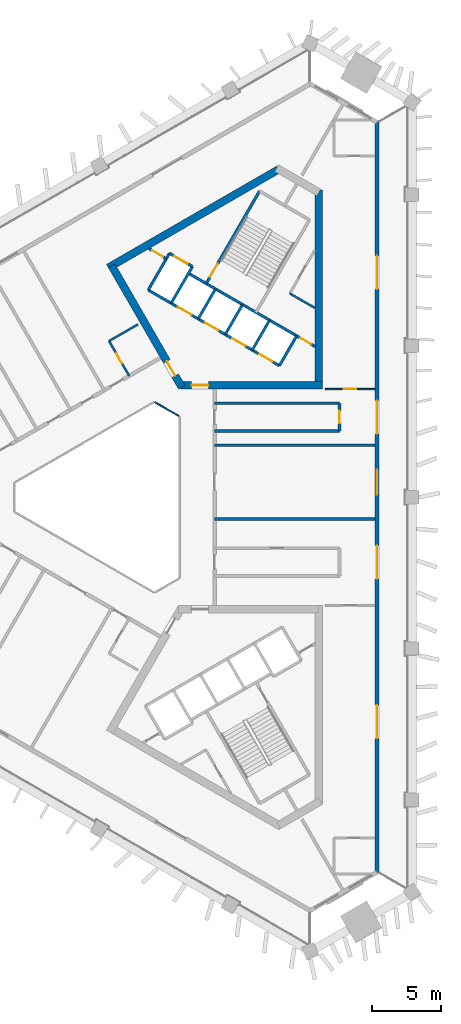
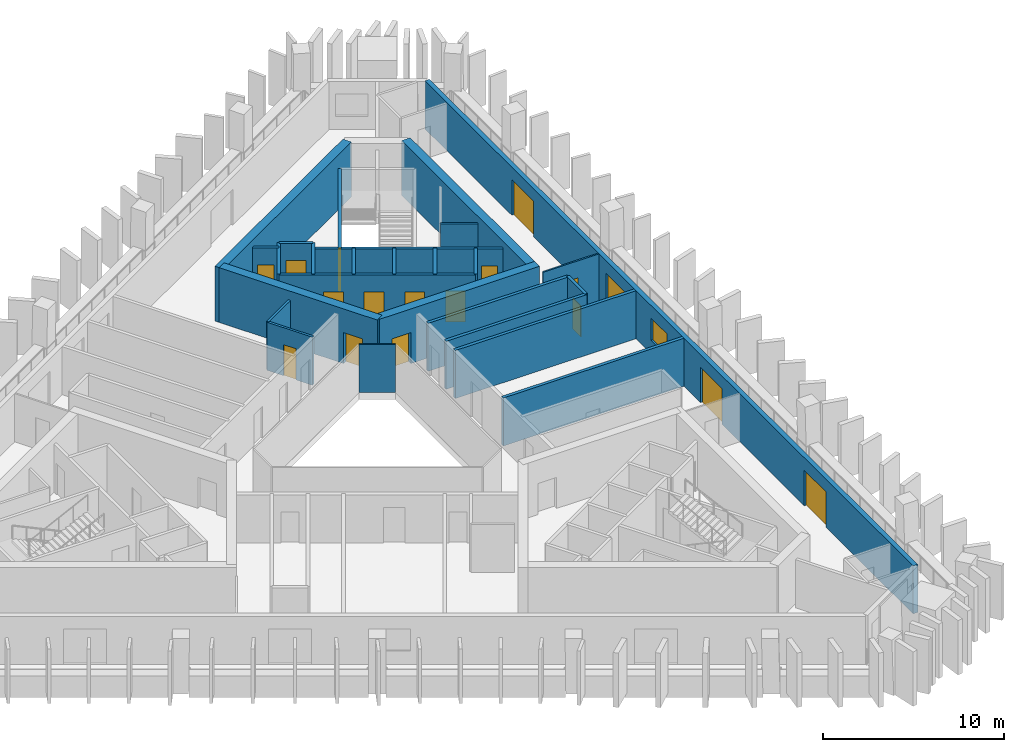
# One storey, part 5 of 10: 26 walls, 17 doors, 1 window, 18 openings.
"""IFC4 building model written with IfcOpenShell, lengths in metres."""

from ifc_helpers import new_model, si_unit, direction, frame, frame_2d, origin, place, context, subcontext, project, spatial, rectangle, extrude, material, layer, layer_set, type_object, element, fill, save


model = new_model("IFC4")

# Units and contexts
model_context = context("Model", 3, precision=1e-05, world=origin(), true_north=direction((0.0, 1.0)))
body_context = subcontext(model_context, "Body", "Model", "MODEL_VIEW")
ifc_project = project(units=[si_unit("LENGTHUNIT", "METRE"), si_unit("AREAUNIT", "SQUARE_METRE"), si_unit("VOLUMEUNIT", "CUBIC_METRE"), si_unit("PLANEANGLEUNIT", "RADIAN"), si_unit("MASSUNIT", "GRAM", prefix="KILO")], contexts=[model_context])

# Site, building, storey
site_placement = place(None, origin())
site = spatial("IfcSite", under=ifc_project, at=site_placement, CompositionType="ELEMENT")
building_placement = place(site_placement, origin())
building = spatial("IfcBuilding", under=site, at=building_placement, Name="Jabali Bay Hotel Tower and Convention Centre", CompositionType="ELEMENT")
storey_placement = place(building_placement, frame((0.0, 0.0, 163.699951171875)))
storey = spatial("IfcBuildingStorey", under=building, at=storey_placement, Name="L39", CompositionType="ELEMENT", Elevation=163.699951171875)

# Wall
ifc_material_1 = material(Name="Fire-resistant glazing", Category="glass")
ifc_layer_1 = layer(ifc_material_1, 0.10009765625)
ifc_layer_set_1 = layer_set([ifc_layer_1], Name="Fire-resistant glazing")
wall_type_1 = type_object("IfcWallType", Name="Atrium glazed screen 100", PredefinedType="PARTITIONING", material=ifc_layer_set_1)
wall_1_placement = place(storey_placement, frame((79.530029296875, 85.84619140625, 0.0), z_axis=(0.0, 0.0, 1.0), x_axis=(-0.866041268327, 0.499972520799, 0.0)))
element("IfcWall", 1, at=wall_1_placement, inside=storey, type_object=wall_type_1, Name="Atrium screen 2 L39", PredefinedType="PARTITIONING", context=body_context, shape_type="SweptSolid", body=[
    extrude(rectangle(XDim=2.0, YDim=0.10009765625, at=frame_2d((1.0, 0.0))), origin(), (0.0, 0.0, 1.0), 3.25),
])

# Wall, opening, door
ifc_material_2 = material(Name="Concrete C40", Category="concrete")
ifc_layer_2 = layer(ifc_material_2, 0.199951171875)
ifc_layer_set_2 = layer_set([ifc_layer_2], Name="Concrete C40")
wall_type_2 = type_object("IfcWallType", Name="Core partition wall 200", PredefinedType="PARTITIONING", material=ifc_layer_set_2)
wall_2_placement = place(storey_placement, frame((78.630126953125, 97.187744140625, 0.0), z_axis=(0.0, 0.0, 1.0), x_axis=(-0.866003949776, 0.500037157592, 0.0)))
wall_2 = element("IfcWall", 2, at=wall_2_placement, inside=storey, type_object=wall_type_2, Name="Core wall 1.12 L39", PredefinedType="PARTITIONING", context=body_context, shape_type="SweptSolid", body=[
    extrude(rectangle(XDim=1.455078125, YDim=0.199951171875, at=frame_2d((0.7275390625, 0.0))), origin(), (0.0, 0.0, 1.0), 3.25),
])
opening_1_placement = place(wall_2_placement, frame((0.277587890625, 0.0, 0.0)))
opening_1 = element("IfcOpeningElement", 3, at=opening_1_placement, cuts=wall_2, Name="Opening D855", PredefinedType="OPENING", context=body_context, shape_type="SweptSolid", body=[
    extrude(rectangle(XDim=0.89990234375, YDim=2.10009765625, at=frame_2d((0.449951171875, 1.050048828125))), frame((0.0, 0.1103515625, 0.0), z_axis=(0.0, -1.0, 0.0), x_axis=(1.0, 0.0, 0.0)), (0.0, 0.0, 1.0), 0.220947265625),
])
ifc_material_3 = material(Name="Fire-rated steel door", Category="steel")
door_type_1 = type_object("IfcDoorType", Name="Vestibule fire door 900 x 2100", OperationType="NOTDEFINED", PredefinedType="NOTDEFINED", material=ifc_material_3)
door_1_placement = place(opening_1_placement, origin())
door_1 = element("IfcDoor", 4, at=door_1_placement, inside=storey, type_object=door_type_1, Name="Vestibule fire door D855", OperationType="SINGLE_SWING_LEFT", OverallHeight=2.10009765625, OverallWidth=0.89990234375, PredefinedType="NOTDEFINED", context=body_context, shape_type="SweptSolid", body=[
    extrude(rectangle(XDim=0.89990234375, YDim=2.10009765625, at=frame_2d((0.449951171875, 1.050048828125))), frame((0.0, 0.02490234375, 0.0), z_axis=(0.0, -1.0, 0.0), x_axis=(1.0, 0.0, 0.0)), (0.0, 0.0, 1.0), 0.050048828125),
])
fill(opening_1, door_1)

# Walls
ifc_material_4 = material(Name="Fire-rated board partition")
ifc_layer_3 = layer(ifc_material_4, 0.14990234375)
ifc_layer_set_3 = layer_set([ifc_layer_3], Name="Fire-rated board partition")
wall_type_3 = type_object("IfcWallType", Name="Core room partition 150", PredefinedType="PARTITIONING", material=ifc_layer_set_3)
wall_3_placement = place(storey_placement, frame((89.330078125, 93.642822265625, 0.0), z_axis=(0.0, 0.0, 1.0), x_axis=(-0.866033778982, 0.499985493453, 0.0)))
element("IfcWall", 5, at=wall_3_placement, inside=storey, type_object=wall_type_3, Name="Core wall 1.14 L39", PredefinedType="PARTITIONING", context=body_context, shape_type="SweptSolid", body=[
    extrude(rectangle(XDim=2.0888671875, YDim=0.14990234375, at=frame_2d((1.04443359375, 0.0))), origin(), (0.0, 0.0, 1.0), 3.25),
])
ifc_layer_4 = layer(ifc_material_2, 0.199951171875)
ifc_layer_set_4 = layer_set([ifc_layer_4], Name="Concrete C40")
wall_type_4 = type_object("IfcWallType", Name="Core stair wall 200", PredefinedType="SOLIDWALL", material=ifc_layer_set_4)
for number, where, z_axis, x_axis, name in (
    (6, (86.769775390625, 89.48583984375, 0.0), (0.0, 0.0, 1.0), (0.499961042966, 0.86604789447, 0.0), "Core wall 1.0 L39"),
    (7, (84.8212890625, 90.61083984375, 0.0), (0.0, 0.0, 1.0), (0.499961042966, 0.86604789447, 0.0), "Core wall 1.2 L39"),
    (8, (82.872802734375, 91.73583984375, 0.0), (0.0, 0.0, 1.0), (0.499961042966, 0.86604789447, 0.0), "Core wall 1.4 L39"),
    (9, (80.924072265625, 92.86083984375, 0.0), (0.0, 0.0, 1.0), (0.499961042966, 0.86604789447, 0.0), "Core wall 1.6 L39"),
):
    element("IfcWall", number, at=place(storey_placement, frame(where, z_axis=z_axis, x_axis=x_axis)), inside=storey, type_object=wall_type_4, Name=name, PredefinedType="SOLIDWALL", context=body_context, shape_type="SweptSolid", body=[
        extrude(rectangle(XDim=2.480224609375, YDim=0.199951171875, at=frame_2d((1.240234375, 0.0))), origin(), (0.0, 0.0, 1.0), 3.25),
    ])

# Wall, opening, door
wall_4_placement = place(storey_placement, frame((81.492919921875, 95.396240234375, 0.0), z_axis=(0.0, 0.0, 1.0), x_axis=(0.500006057782, 0.866021906294, 0.0)))
wall_4 = element("IfcWall", 10, at=wall_4_placement, inside=storey, type_object=wall_type_4, Name="Core wall 1.7 L39", PredefinedType="SOLIDWALL", context=body_context, shape_type="SweptSolid", body=[
    extrude(rectangle(XDim=7.7001953125, YDim=0.199951171875, at=frame_2d((3.85009765625, 0.0))), origin(), (0.0, 0.0, 1.0), 3.25),
])
opening_2_placement = place(wall_4_placement, frame((0.550048828125, 0.0, 0.0)))
opening_2 = element("IfcOpeningElement", 11, at=opening_2_placement, cuts=wall_4, Name="Opening D857", PredefinedType="OPENING", context=body_context, shape_type="SweptSolid", body=[
    extrude(rectangle(XDim=1.10009765625, YDim=2.10009765625, at=frame_2d((0.550048828125, 1.050048828125))), frame((0.0, 0.1103515625, 0.0), z_axis=(0.0, -1.0, 0.0), x_axis=(1.0, 0.0, 0.0)), (0.0, 0.0, 1.0), 0.220947265625),
])
door_type_2 = type_object("IfcDoorType", Name="Stair fire door 1100 x 2100", OperationType="NOTDEFINED", PredefinedType="NOTDEFINED", material=ifc_material_3)
door_2_placement = place(opening_2_placement, origin())
door_2 = element("IfcDoor", 12, at=door_2_placement, inside=storey, type_object=door_type_2, Name="Stair fire door D857", OperationType="SINGLE_SWING_RIGHT", OverallHeight=2.10009765625, OverallWidth=1.10009765625, PredefinedType="NOTDEFINED", context=body_context, shape_type="SweptSolid", body=[
    extrude(rectangle(XDim=1.10009765625, YDim=2.10009765625, at=frame_2d((0.550048828125, 1.050048828125))), frame((0.0, 0.02490234375, 0.0), z_axis=(0.0, -1.0, 0.0), x_axis=(1.0, 0.0, 0.0)), (0.0, 0.0, 1.0), 0.050048828125),
])
fill(opening_2, door_2)

# Walls
for number, where, z_axis, x_axis, name in (
    (13, (78.9755859375, 93.98583984375, 0.0), (0.0, 0.0, 1.0), (0.499944174705, 0.866057632134, 0.0), "Core wall 1.8 L39"),
    (14, (77.330078125, 94.93603515625, 0.0), (0.0, 0.0, 1.0), (0.500038867431, 0.8660029625, 0.0), "Core wall 1.9 L39"),
):
    element("IfcWall", number, at=place(storey_placement, frame(where, z_axis=z_axis, x_axis=x_axis)), inside=storey, type_object=wall_type_4, Name=name, PredefinedType="SOLIDWALL", context=body_context, shape_type="SweptSolid", body=[
        extrude(rectangle(XDim=3.050048828125, YDim=0.199951171875, at=frame_2d((1.52490234375, 0.0))), origin(), (0.0, 0.0, 1.0), 3.25),
    ])

# Wall, openings, doors
wall_5_placement = place(storey_placement, frame((86.769775390625, 89.48583984375, 0.0), z_axis=(0.0, 0.0, 1.0), x_axis=(-0.86601811187, 0.500012629753, 0.0)))
wall_5 = element("IfcWall", 15, at=wall_5_placement, inside=storey, type_object=wall_type_4, Name="Core wall 1.10 L39", PredefinedType="SOLIDWALL", context=body_context, shape_type="SweptSolid", body=[
    extrude(rectangle(XDim=10.900146484375, YDim=0.199951171875, at=frame_2d((5.4501953125, 0.0))), origin(), (0.0, 0.0, 1.0), 3.25),
])
opening_3_placement = place(wall_5_placement, frame((0.574951171875, 0.0, 0.0)))
opening_3 = element("IfcOpeningElement", 16, at=opening_3_placement, cuts=wall_5, Name="Opening LD6-L39", PredefinedType="OPENING", context=body_context, shape_type="SweptSolid", body=[
    extrude(rectangle(XDim=1.10009765625, YDim=2.10009765625, at=frame_2d((0.550048828125, 1.050048828125))), frame((0.0, 0.1103515625, 0.0), z_axis=(0.0, -1.0, 0.0), x_axis=(1.0, 0.0, 0.0)), (0.0, 0.0, 1.0), 0.220947265625),
])
opening_4_placement = place(wall_5_placement, frame((2.824951171875, 0.0, 0.0)))
opening_4 = element("IfcOpeningElement", 17, at=opening_4_placement, cuts=wall_5, Name="Opening LD7-L39", PredefinedType="OPENING", context=body_context, shape_type="SweptSolid", body=[
    extrude(rectangle(XDim=1.10009765625, YDim=2.10009765625, at=frame_2d((0.550048828125, 1.050048828125))), frame((0.0, 0.1103515625, 0.0), z_axis=(0.0, -1.0, 0.0), x_axis=(1.0, 0.0, 0.0)), (0.0, 0.0, 1.0), 0.220947265625),
])
opening_5_placement = place(wall_5_placement, frame((5.074951171875, 0.0, 0.0)))
opening_5 = element("IfcOpeningElement", 18, at=opening_5_placement, cuts=wall_5, Name="Opening LD8-L39", PredefinedType="OPENING", context=body_context, shape_type="SweptSolid", body=[
    extrude(rectangle(XDim=1.10009765625, YDim=2.10009765625, at=frame_2d((0.550048828125, 1.050048828125))), frame((0.0, 0.1103515625, 0.0), z_axis=(0.0, -1.0, 0.0), x_axis=(1.0, 0.0, 0.0)), (0.0, 0.0, 1.0), 0.220947265625),
])
opening_6_placement = place(wall_5_placement, frame((7.324951171875, 0.0, 0.0)))
opening_6 = element("IfcOpeningElement", 19, at=opening_6_placement, cuts=wall_5, Name="Opening LD9-L39", PredefinedType="OPENING", context=body_context, shape_type="SweptSolid", body=[
    extrude(rectangle(XDim=1.10009765625, YDim=2.10009765625, at=frame_2d((0.550048828125, 1.050048828125))), frame((0.0, 0.1103515625, 0.0), z_axis=(0.0, -1.0, 0.0), x_axis=(1.0, 0.0, 0.0)), (0.0, 0.0, 1.0), 0.220947265625),
])
ifc_material_5 = material(Name="Stainless steel landing door", Category="steel")
door_type_3 = type_object("IfcDoorType", Name="Landing door 1100 x 2100", OperationType="NOTDEFINED", PredefinedType="NOTDEFINED", material=ifc_material_5)
door_3_placement = place(opening_3_placement, origin())
door_3 = element("IfcDoor", 20, at=door_3_placement, inside=storey, type_object=door_type_3, Name="Landing doors LD6-L39", OperationType="SLIDING_TO_RIGHT", OverallHeight=2.10009765625, OverallWidth=1.10009765625, PredefinedType="NOTDEFINED", context=body_context, shape_type="SweptSolid", body=[
    extrude(rectangle(XDim=1.10009765625, YDim=2.10009765625, at=frame_2d((0.550048828125, 1.050048828125))), frame((0.0, 0.02490234375, 0.0), z_axis=(0.0, -1.0, 0.0), x_axis=(1.0, 0.0, 0.0)), (0.0, 0.0, 1.0), 0.050048828125),
])
fill(opening_3, door_3)
door_4_placement = place(opening_4_placement, origin())
door_4 = element("IfcDoor", 21, at=door_4_placement, inside=storey, type_object=door_type_3, Name="Landing doors LD7-L39", OperationType="SLIDING_TO_LEFT", OverallHeight=2.10009765625, OverallWidth=1.10009765625, PredefinedType="NOTDEFINED", context=body_context, shape_type="SweptSolid", body=[
    extrude(rectangle(XDim=1.10009765625, YDim=2.10009765625, at=frame_2d((0.550048828125, 1.050048828125))), frame((0.0, 0.02490234375, 0.0), z_axis=(0.0, -1.0, 0.0), x_axis=(1.0, 0.0, 0.0)), (0.0, 0.0, 1.0), 0.050048828125),
])
fill(opening_4, door_4)
door_5_placement = place(opening_5_placement, origin())
door_5 = element("IfcDoor", 22, at=door_5_placement, inside=storey, type_object=door_type_3, Name="Landing doors LD8-L39", OperationType="SLIDING_TO_RIGHT", OverallHeight=2.10009765625, OverallWidth=1.10009765625, PredefinedType="NOTDEFINED", context=body_context, shape_type="SweptSolid", body=[
    extrude(rectangle(XDim=1.10009765625, YDim=2.10009765625, at=frame_2d((0.550048828125, 1.050048828125))), frame((0.0, 0.02490234375, 0.0), z_axis=(0.0, -1.0, 0.0), x_axis=(1.0, 0.0, 0.0)), (0.0, 0.0, 1.0), 0.050048828125),
])
fill(opening_5, door_5)
door_6_placement = place(opening_6_placement, origin())
door_6 = element("IfcDoor", 23, at=door_6_placement, inside=storey, type_object=door_type_3, Name="Landing doors LD9-L39", OperationType="SLIDING_TO_LEFT", OverallHeight=2.10009765625, OverallWidth=1.10009765625, PredefinedType="NOTDEFINED", context=body_context, shape_type="SweptSolid", body=[
    extrude(rectangle(XDim=1.10009765625, YDim=2.10009765625, at=frame_2d((0.550048828125, 1.050048828125))), frame((0.0, 0.02490234375, 0.0), z_axis=(0.0, -1.0, 0.0), x_axis=(1.0, 0.0, 0.0)), (0.0, 0.0, 1.0), 0.050048828125),
])
fill(opening_6, door_6)

# Wall, opening, door
wall_6_placement = place(storey_placement, frame((89.330078125, 90.87158203125, 0.0), z_axis=(0.0, 0.0, 1.0), x_axis=(-0.866027589512, 0.49999621419, 0.0)))
wall_6 = element("IfcWall", 24, at=wall_6_placement, inside=storey, type_object=wall_type_4, Name="Core wall 1.11 L39", PredefinedType="SOLIDWALL", context=body_context, shape_type="SweptSolid", body=[
    extrude(rectangle(XDim=10.5244140625, YDim=0.199951171875, at=frame_2d((5.26220703125, 0.0))), origin(), (0.0, 0.0, 1.0), 3.25),
])
opening_7_placement = place(wall_6_placement, frame((0.312255859375, 0.0, 0.0)))
opening_7 = element("IfcOpeningElement", 25, at=opening_7_placement, cuts=wall_6, Name="Opening D856", PredefinedType="OPENING", context=body_context, shape_type="SweptSolid", body=[
    extrude(rectangle(XDim=0.89990234375, YDim=2.10009765625, at=frame_2d((0.449951171875, 1.050048828125))), frame((0.0, 0.1103515625, 0.0), z_axis=(0.0, -1.0, 0.0), x_axis=(1.0, 0.0, 0.0)), (0.0, 0.0, 1.0), 0.220947265625),
])
door_7_placement = place(opening_7_placement, origin())
door_7 = element("IfcDoor", 26, at=door_7_placement, inside=storey, type_object=door_type_1, Name="Vestibule fire door D856", OperationType="SINGLE_SWING_LEFT", OverallHeight=2.10009765625, OverallWidth=0.89990234375, PredefinedType="NOTDEFINED", context=body_context, shape_type="SweptSolid", body=[
    extrude(rectangle(XDim=0.89990234375, YDim=2.10009765625, at=frame_2d((0.449951171875, 1.050048828125))), frame((0.0, 0.02490234375, 0.0), z_axis=(0.0, -1.0, 0.0), x_axis=(1.0, 0.0, 0.0)), (0.0, 0.0, 1.0), 0.050048828125),
])
fill(opening_7, door_7)

wall_7_placement = place(storey_placement, frame((80.50048828125, 96.62744140625, 0.0), z_axis=(0.0, 0.0, 1.0), x_axis=(-0.86601224135, 0.500022797313, 0.0)))
wall_7 = element("IfcWall", 27, at=wall_7_placement, inside=storey, type_object=wall_type_4, Name="Core wall 1.13 L39", PredefinedType="SOLIDWALL", context=body_context, shape_type="SweptSolid", body=[
    extrude(rectangle(XDim=1.89990234375, YDim=0.199951171875, at=frame_2d((0.949951171875, 0.0))), origin(), (0.0, 0.0, 1.0), 3.25),
])
opening_8_placement = place(wall_7_placement, frame((0.39990234375, 0.0, 0.0)))
opening_8 = element("IfcOpeningElement", 28, at=opening_8_placement, cuts=wall_7, Name="Opening LD10-L39", PredefinedType="OPENING", context=body_context, shape_type="SweptSolid", body=[
    extrude(rectangle(XDim=1.10009765625, YDim=2.10009765625, at=frame_2d((0.550048828125, 1.050048828125))), frame((0.0, 0.1103515625, 0.0), z_axis=(0.0, -1.0, 0.0), x_axis=(1.0, 0.0, 0.0)), (0.0, 0.0, 1.0), 0.220947265625),
])
door_8_placement = place(opening_8_placement, origin())
door_8 = element("IfcDoor", 29, at=door_8_placement, inside=storey, type_object=door_type_3, Name="Landing doors LD10-L39", OperationType="SLIDING_TO_RIGHT", OverallHeight=2.10009765625, OverallWidth=1.10009765625, PredefinedType="NOTDEFINED", context=body_context, shape_type="SweptSolid", body=[
    extrude(rectangle(XDim=1.10009765625, YDim=2.10009765625, at=frame_2d((0.550048828125, 1.050048828125))), frame((0.0, 0.02490234375, 0.0), z_axis=(0.0, -1.0, 0.0), x_axis=(1.0, 0.0, 0.0)), (0.0, 0.0, 1.0), 0.050048828125),
])
fill(opening_8, door_8)

ifc_material_6 = material(Name="Concrete C60", Category="concrete")
ifc_layer_5 = layer(ifc_material_6, 0.550048828125)
ifc_layer_set_5 = layer_set([ifc_layer_5], Name="Concrete C60")
wall_type_5 = type_object("IfcWallType", Name="Core wall 550", PredefinedType="SHEAR", material=ifc_layer_set_5)
wall_8_placement = place(storey_placement, frame((79.65869140625, 88.0693359375, 0.0), z_axis=(0.0, 0.0, 1.0), x_axis=(1.0, 0.0, 0.0)))
wall_8 = element("IfcWall", 30, at=wall_8_placement, inside=storey, type_object=wall_type_5, Name="Core wall 2.1 L39", PredefinedType="SHEAR", context=body_context, shape_type="SweptSolid", body=[
    extrude(rectangle(XDim=10.22119140625, YDim=0.550048828125, at=frame_2d((5.110595703125, 0.0))), origin(), (0.0, 0.0, 1.0), 3.699951171875),
])
opening_9_placement = place(wall_8_placement, frame((0.791259765625, 0.0, 0.0)))
opening_9 = element("IfcOpeningElement", 31, at=opening_9_placement, cuts=wall_8, Name="Opening D853", PredefinedType="OPENING", context=body_context, shape_type="SweptSolid", body=[
    extrude(rectangle(XDim=1.199951171875, YDim=2.10009765625, at=frame_2d((0.60009765625, 1.050048828125))), frame((0.0, 0.28564453125, 0.0), z_axis=(0.0, -1.0, 0.0), x_axis=(1.0, 0.0, 0.0)), (0.0, 0.0, 1.0), 0.571044921875),
])
door_type_4 = type_object("IfcDoorType", Name="Corridor end fire door 1200 x 2100", OperationType="NOTDEFINED", PredefinedType="NOTDEFINED", material=ifc_material_3)
door_9_placement = place(opening_9_placement, origin())
door_9 = element("IfcDoor", 32, at=door_9_placement, inside=storey, type_object=door_type_4, Name="Corridor end fire door D853", OperationType="SINGLE_SWING_RIGHT", OverallHeight=2.10009765625, OverallWidth=1.199951171875, PredefinedType="NOTDEFINED", context=body_context, shape_type="SweptSolid", body=[
    extrude(rectangle(XDim=1.199951171875, YDim=2.10009765625, at=frame_2d((0.60009765625, 1.050048828125))), frame((0.0, 0.02490234375, 0.0), z_axis=(0.0, -1.0, 0.0), x_axis=(1.0, 0.0, 0.0)), (0.0, 0.0, 1.0), 0.050048828125),
])
fill(opening_9, door_9)

# Walls
wall_9_placement = place(storey_placement, frame((89.60498046875, 88.0693359375, 0.0), z_axis=(0.0, 0.0, 1.0), x_axis=(0.0, 1.0, 0.0)))
element("IfcWall", 33, at=wall_9_placement, inside=storey, type_object=wall_type_5, Name="Core wall 2.2 L39", PredefinedType="SHEAR", context=body_context, shape_type="SweptSolid", body=[
    extrude(rectangle(XDim=14.058349609375, YDim=0.550048828125, at=frame_2d((7.029296875, 0.0))), origin(), (0.0, 0.0, 1.0), 3.699951171875),
])
wall_10_placement = place(storey_placement, frame((86.72314453125, 103.6328125, 0.0), z_axis=(0.0, 0.0, 1.0), x_axis=(-0.866023530946, -0.500003243837, 0.0)))
element("IfcWall", 34, at=wall_10_placement, inside=storey, type_object=wall_type_5, Name="Core wall 2.4 L39", PredefinedType="SHEAR", context=body_context, shape_type="SweptSolid", body=[
    extrude(rectangle(XDim=14.1748046875, YDim=0.550048828125, at=frame_2d((7.08740234375, 0.0))), origin(), (0.0, 0.0, 1.0), 3.699951171875),
])

# Wall, opening, door
wall_11_placement = place(storey_placement, frame((74.685546875, 96.682861328125, 0.0), z_axis=(0.0, 0.0, 1.0), x_axis=(0.499997818338, -0.866026663364, 0.0)))
wall_11 = element("IfcWall", 35, at=wall_11_placement, inside=storey, type_object=wall_type_5, Name="Core wall 2.5 L39", PredefinedType="SHEAR", context=body_context, shape_type="SweptSolid", body=[
    extrude(rectangle(XDim=10.10498046875, YDim=0.550048828125, at=frame_2d((5.052490234375, 0.0))), origin(), (0.0, 0.0, 1.0), 3.699951171875),
])
opening_10_placement = place(wall_11_placement, frame((7.955078125, 0.0, 0.0)))
opening_10 = element("IfcOpeningElement", 36, at=opening_10_placement, cuts=wall_11, Name="Opening D854", PredefinedType="OPENING", context=body_context, shape_type="SweptSolid", body=[
    extrude(rectangle(XDim=1.199951171875, YDim=2.10009765625, at=frame_2d((0.60009765625, 1.050048828125))), frame((0.0, 0.28564453125, 0.0), z_axis=(0.0, -1.0, 0.0), x_axis=(1.0, 0.0, 0.0)), (0.0, 0.0, 1.0), 0.571044921875),
])
door_10_placement = place(opening_10_placement, origin())
door_10 = element("IfcDoor", 37, at=door_10_placement, inside=storey, type_object=door_type_4, Name="Corridor end fire door D854", OperationType="SINGLE_SWING_LEFT", OverallHeight=2.10009765625, OverallWidth=1.199951171875, PredefinedType="NOTDEFINED", context=body_context, shape_type="SweptSolid", body=[
    extrude(rectangle(XDim=1.199951171875, YDim=2.10009765625, at=frame_2d((0.60009765625, 1.050048828125))), frame((0.0, 0.02490234375, 0.0), z_axis=(0.0, -1.0, 0.0), x_axis=(1.0, 0.0, 0.0)), (0.0, 0.0, 1.0), 0.050048828125),
])
fill(opening_10, door_10)

# Wall, openings, doors, window
ifc_layer_6 = layer(ifc_material_2, 0.300048828125)
ifc_layer_set_6 = layer_set([ifc_layer_6], Name="Concrete C40")
wall_type_6 = type_object("IfcWallType", Name="External wall 300", PredefinedType="SOLIDWALL", material=ifc_layer_set_6)
wall_12_placement = place(storey_placement, frame((93.80078125, 107.0322265625, 0.0), z_axis=(0.0, 0.0, 1.0), x_axis=(0.0, -1.0, 0.0)))
wall_12 = element("IfcWall", 38, at=wall_12_placement, inside=storey, type_object=wall_type_6, Name="External wall east face L39", PredefinedType="SOLIDWALL", context=body_context, shape_type="SweptSolid", body=[
    extrude(rectangle(XDim=54.064453125, YDim=0.300048828125, at=frame_2d((27.0322265625, 0.0))), origin(), (0.0, 0.0, 1.0), 3.25),
])
opening_11_placement = place(wall_12_placement, frame((30.5087890625, 0.0, 0.0)))
opening_11 = element("IfcOpeningElement", 39, at=opening_11_placement, cuts=wall_12, Name="Opening SD1", PredefinedType="OPENING", context=body_context, shape_type="SweptSolid", body=[
    extrude(rectangle(XDim=2.39990234375, YDim=2.39990234375, at=frame_2d((1.199951171875, 1.199951171875))), frame((0.0, 0.16064453125, 0.0), z_axis=(0.0, -1.0, 0.0), x_axis=(1.0, 0.0, 0.0)), (0.0, 0.0, 1.0), 0.321044921875),
])
opening_12_placement = place(wall_12_placement, frame((42.010986328125, 0.0, 0.0)))
opening_12 = element("IfcOpeningElement", 40, at=opening_12_placement, cuts=wall_12, Name="Opening SD1", PredefinedType="OPENING", context=body_context, shape_type="SweptSolid", body=[
    extrude(rectangle(XDim=2.39990234375, YDim=2.39990234375, at=frame_2d((1.199951171875, 1.199951171875))), frame((0.0, 0.16064453125, 0.0), z_axis=(0.0, -1.0, 0.0), x_axis=(1.0, 0.0, 0.0)), (0.0, 0.0, 1.0), 0.321044921875),
])
opening_13_placement = place(wall_12_placement, frame((20.064697265625, 0.0, 0.0)))
opening_13 = element("IfcOpeningElement", 41, at=opening_13_placement, cuts=wall_12, Name="Opening SD1", PredefinedType="OPENING", context=body_context, shape_type="SweptSolid", body=[
    extrude(rectangle(XDim=2.39990234375, YDim=2.39990234375, at=frame_2d((1.199951171875, 1.199951171875))), frame((0.0, 0.16064453125, 0.0), z_axis=(0.0, -1.0, 0.0), x_axis=(1.0, 0.0, 0.0)), (0.0, 0.0, 1.0), 0.321044921875),
])
opening_14_placement = place(wall_12_placement, frame((9.629150390625, 0.0, 0.0)))
opening_14 = element("IfcOpeningElement", 42, at=opening_14_placement, cuts=wall_12, Name="Opening SD1", PredefinedType="OPENING", context=body_context, shape_type="SweptSolid", body=[
    extrude(rectangle(XDim=2.39990234375, YDim=2.39990234375, at=frame_2d((1.199951171875, 1.199951171875))), frame((0.0, 0.16064453125, 0.0), z_axis=(0.0, -1.0, 0.0), x_axis=(1.0, 0.0, 0.0)), (0.0, 0.0, 1.0), 0.321044921875),
])
opening_15_placement = place(wall_12_placement, frame((25.041015625, 0.0, 0.89990234375)))
opening_15 = element("IfcOpeningElement", 43, at=opening_15_placement, cuts=wall_12, Name="Opening W1", PredefinedType="OPENING", context=body_context, shape_type="SweptSolid", body=[
    extrude(rectangle(XDim=1.800048828125, YDim=1.5, at=frame_2d((0.89990234375, 0.75))), frame((0.0, 0.16064453125, 0.0), z_axis=(0.0, -1.0, 0.0), x_axis=(1.0, 0.0, 0.0)), (0.0, 0.0, 1.0), 0.321044921875),
])
ifc_material_7 = material(Name="Glass", Category="glass")
door_type_5 = type_object("IfcDoorType", Name="Loggia sliding door 2400 x 2400", OperationType="NOTDEFINED", PredefinedType="NOTDEFINED", material=ifc_material_7)
door_11_placement = place(opening_11_placement, origin())
door_11 = element("IfcDoor", 44, at=door_11_placement, inside=storey, type_object=door_type_5, Name="Loggia sliding door 3901", OperationType="SLIDING_TO_LEFT", OverallHeight=2.39990234375, OverallWidth=2.39990234375, PredefinedType="NOTDEFINED", context=body_context, shape_type="SweptSolid", body=[
    extrude(rectangle(XDim=2.39990234375, YDim=2.39990234375, at=frame_2d((1.199951171875, 1.199951171875))), frame((0.0, 0.02490234375, 0.0), z_axis=(0.0, -1.0, 0.0), x_axis=(1.0, 0.0, 0.0)), (0.0, 0.0, 1.0), 0.050048828125),
])
fill(opening_11, door_11)
door_12_placement = place(opening_12_placement, origin())
door_12 = element("IfcDoor", 45, at=door_12_placement, inside=storey, type_object=door_type_5, Name="Loggia sliding door 3901", OperationType="SLIDING_TO_RIGHT", OverallHeight=2.39990234375, OverallWidth=2.39990234375, PredefinedType="NOTDEFINED", context=body_context, shape_type="SweptSolid", body=[
    extrude(rectangle(XDim=2.39990234375, YDim=2.39990234375, at=frame_2d((1.199951171875, 1.199951171875))), frame((0.0, 0.02490234375, 0.0), z_axis=(0.0, -1.0, 0.0), x_axis=(1.0, 0.0, 0.0)), (0.0, 0.0, 1.0), 0.050048828125),
])
fill(opening_12, door_12)
door_13_placement = place(opening_13_placement, origin())
door_13 = element("IfcDoor", 46, at=door_13_placement, inside=storey, type_object=door_type_5, Name="Loggia sliding door 3903", OperationType="SLIDING_TO_LEFT", OverallHeight=2.39990234375, OverallWidth=2.39990234375, PredefinedType="NOTDEFINED", context=body_context, shape_type="SweptSolid", body=[
    extrude(rectangle(XDim=2.39990234375, YDim=2.39990234375, at=frame_2d((1.199951171875, 1.199951171875))), frame((0.0, 0.02490234375, 0.0), z_axis=(0.0, -1.0, 0.0), x_axis=(1.0, 0.0, 0.0)), (0.0, 0.0, 1.0), 0.050048828125),
])
fill(opening_13, door_13)
door_14_placement = place(opening_14_placement, origin())
door_14 = element("IfcDoor", 47, at=door_14_placement, inside=storey, type_object=door_type_5, Name="Loggia sliding door 3903", OperationType="SLIDING_TO_RIGHT", OverallHeight=2.39990234375, OverallWidth=2.39990234375, PredefinedType="NOTDEFINED", context=body_context, shape_type="SweptSolid", body=[
    extrude(rectangle(XDim=2.39990234375, YDim=2.39990234375, at=frame_2d((1.199951171875, 1.199951171875))), frame((0.0, 0.02490234375, 0.0), z_axis=(0.0, -1.0, 0.0), x_axis=(1.0, 0.0, 0.0)), (0.0, 0.0, 1.0), 0.050048828125),
])
fill(opening_14, door_14)
window_type = type_object("IfcWindowType", Name="Window 1800 x 1500", PartitioningType="SINGLE_PANEL", PredefinedType="WINDOW", material=ifc_material_7)
window_placement = place(opening_15_placement, origin())
window = element("IfcWindow", 48, at=window_placement, inside=storey, type_object=window_type, Name="Window", OverallHeight=1.5, OverallWidth=1.800048828125, PartitioningType="SINGLE_PANEL", PredefinedType="WINDOW", context=body_context, shape_type="SweptSolid", body=[
    extrude(rectangle(XDim=1.800048828125, YDim=1.5, at=frame_2d((0.89990234375, 0.75))), frame((0.0, 0.030029296875, 0.0), z_axis=(0.0, -1.0, 0.0), x_axis=(1.0, 0.0, 0.0)), (0.0, 0.0, 1.0), 0.06005859375),
])
fill(opening_15, window)

# Wall, opening, door
ifc_material_8 = material(Name="Plasterboard on steel stud", Category="steel")
ifc_layer_7 = layer(ifc_material_8, 0.10009765625)
ifc_layer_set_7 = layer_set([ifc_layer_7], Name="Plasterboard on steel stud")
wall_type_7 = type_object("IfcWallType", Name="Partition 100 unit", PredefinedType="PARTITIONING", material=ifc_layer_set_7)
wall_13_placement = place(storey_placement, frame((93.65185546875, 87.794189453125, 0.0), z_axis=(0.0, 0.0, 1.0), x_axis=(-1.0, 0.0, 0.0)))
wall_13 = element("IfcWall", 49, at=wall_13_placement, inside=storey, type_object=wall_type_7, Name="Partition P02 L39 011", PredefinedType="PARTITIONING", context=body_context, shape_type="SweptSolid", body=[
    extrude(rectangle(XDim=3.57275390625, YDim=0.10009765625, at=frame_2d((1.786376953125, 0.0))), origin(), (0.0, 0.0, 1.0), 3.25),
])
opening_16_placement = place(wall_13_placement, frame((1.3359375, 0.0, 0.0)))
opening_16 = element("IfcOpeningElement", 50, at=opening_16_placement, cuts=wall_13, Name="Opening 3907", PredefinedType="OPENING", context=body_context, shape_type="SweptSolid", body=[
    extrude(rectangle(XDim=0.89990234375, YDim=2.10009765625, at=frame_2d((0.449951171875, 1.050048828125))), frame((0.0, 0.060546875, 0.0), z_axis=(0.0, -1.0, 0.0), x_axis=(1.0, 0.0, 0.0)), (0.0, 0.0, 1.0), 0.12109375),
])
ifc_material_9 = material(Name="Timber", Category="wood")
door_type_6 = type_object("IfcDoorType", Name="Internal door 900 x 2100", OperationType="NOTDEFINED", PredefinedType="NOTDEFINED", material=ifc_material_9)
door_15_placement = place(opening_16_placement, origin())
door_15 = element("IfcDoor", 51, at=door_15_placement, inside=storey, type_object=door_type_6, Name="Door 3907", OperationType="SINGLE_SWING_LEFT", OverallHeight=2.10009765625, OverallWidth=0.89990234375, PredefinedType="NOTDEFINED", context=body_context, shape_type="SweptSolid", body=[
    extrude(rectangle(XDim=0.89990234375, YDim=2.10009765625, at=frame_2d((0.449951171875, 1.050048828125))), frame((0.0, 0.02490234375, 0.0), z_axis=(0.0, -1.0, 0.0), x_axis=(1.0, 0.0, 0.0)), (0.0, 0.0, 1.0), 0.050048828125),
])
fill(opening_16, door_15)

ifc_layer_8 = layer(ifc_material_8, 0.14990234375)
ifc_layer_set_8 = layer_set([ifc_layer_8], Name="Plasterboard on steel stud")
wall_type_8 = type_object("IfcWallType", Name="Partition 150 wet", PredefinedType="PARTITIONING", material=ifc_layer_set_8)
wall_14_placement = place(storey_placement, frame((75.9482421875, 88.745849609375, 0.0), z_axis=(0.0, 0.0, 1.0), x_axis=(-0.499987231761, 0.866032775405, 0.0)))
wall_14 = element("IfcWall", 52, at=wall_14_placement, inside=storey, type_object=wall_type_8, Name="Partition P03 L39 019", PredefinedType="PARTITIONING", context=body_context, shape_type="SweptSolid", body=[
    extrude(rectangle(XDim=2.89990234375, YDim=0.14990234375, at=frame_2d((1.449951171875, 0.0))), origin(), (0.0, 0.0, 1.0), 3.25),
])
opening_17_placement = place(wall_14_placement, frame((1.050048828125, 0.0, 0.0)))
opening_17 = element("IfcOpeningElement", 53, at=opening_17_placement, cuts=wall_14, Name="Opening 3910", PredefinedType="OPENING", context=body_context, shape_type="SweptSolid", body=[
    extrude(rectangle(XDim=0.800048828125, YDim=2.10009765625, at=frame_2d((0.39990234375, 1.050048828125))), frame((0.0, 0.08544921875, 0.0), z_axis=(0.0, -1.0, 0.0), x_axis=(1.0, 0.0, 0.0)), (0.0, 0.0, 1.0), 0.1708984375),
])
door_type_7 = type_object("IfcDoorType", Name="En-suite door 800 x 2100", OperationType="NOTDEFINED", PredefinedType="NOTDEFINED", material=ifc_material_9)
door_16_placement = place(opening_17_placement, origin())
door_16 = element("IfcDoor", 54, at=door_16_placement, inside=storey, type_object=door_type_7, Name="Door 3910", OperationType="SINGLE_SWING_RIGHT", OverallHeight=2.10009765625, OverallWidth=0.800048828125, PredefinedType="NOTDEFINED", context=body_context, shape_type="SweptSolid", body=[
    extrude(rectangle(XDim=0.800048828125, YDim=2.10009765625, at=frame_2d((0.39990234375, 1.050048828125))), frame((0.0, 0.02490234375, 0.0), z_axis=(0.0, -1.0, 0.0), x_axis=(1.0, 0.0, 0.0)), (0.0, 0.0, 1.0), 0.050048828125),
])
fill(opening_17, door_16)

# Walls
wall_15_placement = place(storey_placement, frame((74.498291015625, 91.25732421875, 0.0), z_axis=(0.0, 0.0, 1.0), x_axis=(0.866038271014, 0.499977712642, 0.0)))
element("IfcWall", 55, at=wall_15_placement, inside=storey, type_object=wall_type_8, Name="Partition P03 L39 020", PredefinedType="PARTITIONING", context=body_context, shape_type="SweptSolid", body=[
    extrude(rectangle(XDim=2.40087890625, YDim=0.14990234375, at=frame_2d((1.200439453125, 0.0))), origin(), (0.0, 0.0, 1.0), 3.25),
])
ifc_layer_9 = layer(ifc_material_8, 0.199951171875)
ifc_layer_set_9 = layer_set([ifc_layer_9], Name="Plasterboard on steel stud")
wall_type_9 = type_object("IfcWallType", Name="Partition 200 party", PredefinedType="PARTITIONING", material=ifc_layer_set_9)
for number, where, z_axis, x_axis, name in (
    (56, (93.65185546875, 78.441162109375, 0.0), (0.0, 0.0, 1.0), (-1.0, 0.0, 0.0), "Partition P01 L39 005"),
    (57, (93.65185546875, 83.7412109375, 0.0), (0.0, 0.0, 1.0), (-1.0, 0.0, 0.0), "Partition P01 L39 010"),
):
    element("IfcWall", number, at=place(storey_placement, frame(where, z_axis=z_axis, x_axis=x_axis)), inside=storey, type_object=wall_type_9, Name=name, PredefinedType="PARTITIONING", context=body_context, shape_type="SweptSolid", body=[
        extrude(rectangle(XDim=11.5517578125, YDim=0.199951171875, at=frame_2d((5.77587890625, 0.0))), origin(), (0.0, 0.0, 1.0), 3.25),
    ])
wall_16_placement = place(storey_placement, frame((82.10009765625, 86.767822265625, 0.0), z_axis=(0.0, 0.0, 1.0), x_axis=(1.0, 0.0, 0.0)))
element("IfcWall", 58, at=wall_16_placement, inside=storey, type_object=wall_type_9, Name="Partition P01 L39 012", PredefinedType="PARTITIONING", context=body_context, shape_type="SweptSolid", body=[
    extrude(rectangle(XDim=9.0, YDim=0.199951171875, at=frame_2d((4.5, 0.0))), origin(), (0.0, 0.0, 1.0), 3.25),
])

# Wall, opening, door
wall_17_placement = place(storey_placement, frame((91.10009765625, 86.767822265625, 0.0), z_axis=(0.0, 0.0, 1.0), x_axis=(0.0, -1.0, 0.0)))
wall_17 = element("IfcWall", 59, at=wall_17_placement, inside=storey, type_object=wall_type_9, Name="Partition P01 L39 013", PredefinedType="PARTITIONING", context=body_context, shape_type="SweptSolid", body=[
    extrude(rectangle(XDim=2.0, YDim=0.199951171875, at=frame_2d((1.0, 0.0))), origin(), (0.0, 0.0, 1.0), 3.25),
])
opening_18_placement = place(wall_17_placement, frame((0.550048828125, 0.0, 0.0)))
opening_18 = element("IfcOpeningElement", 60, at=opening_18_placement, cuts=wall_17, Name="Opening 3909", PredefinedType="OPENING", context=body_context, shape_type="SweptSolid", body=[
    extrude(rectangle(XDim=0.89990234375, YDim=2.10009765625, at=frame_2d((0.449951171875, 1.050048828125))), frame((0.0, 0.1103515625, 0.0), z_axis=(0.0, -1.0, 0.0), x_axis=(1.0, 0.0, 0.0)), (0.0, 0.0, 1.0), 0.220947265625),
])
door_17_placement = place(opening_18_placement, origin())
door_17 = element("IfcDoor", 61, at=door_17_placement, inside=storey, type_object=door_type_6, Name="Door 3909", OperationType="SINGLE_SWING_RIGHT", OverallHeight=2.10009765625, OverallWidth=0.89990234375, PredefinedType="NOTDEFINED", context=body_context, shape_type="SweptSolid", body=[
    extrude(rectangle(XDim=0.89990234375, YDim=2.10009765625, at=frame_2d((0.449951171875, 1.050048828125))), frame((0.0, 0.02490234375, 0.0), z_axis=(0.0, -1.0, 0.0), x_axis=(1.0, 0.0, 0.0)), (0.0, 0.0, 1.0), 0.050048828125),
])
fill(opening_18, door_17)

# Wall
wall_18_placement = place(storey_placement, frame((91.10009765625, 84.767822265625, 0.0), z_axis=(0.0, 0.0, 1.0), x_axis=(-1.0, 0.0, 0.0)))
element("IfcWall", 62, at=wall_18_placement, inside=storey, type_object=wall_type_9, Name="Partition P01 L39 014", PredefinedType="PARTITIONING", context=body_context, shape_type="SweptSolid", body=[
    extrude(rectangle(XDim=9.0, YDim=0.199951171875, at=frame_2d((4.5, 0.0))), origin(), (0.0, 0.0, 1.0), 3.25),
])

save(model, "model.ifc")
